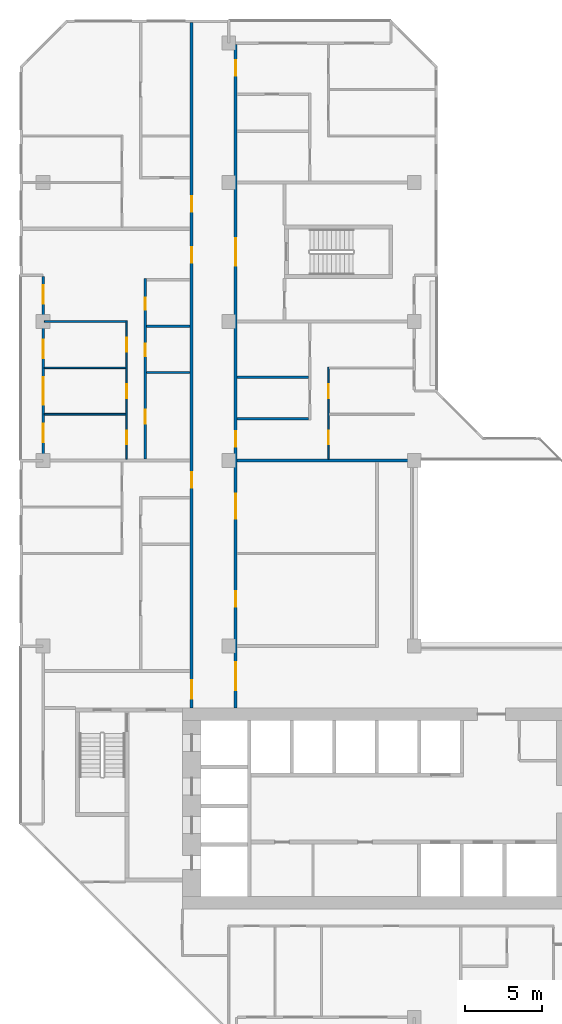
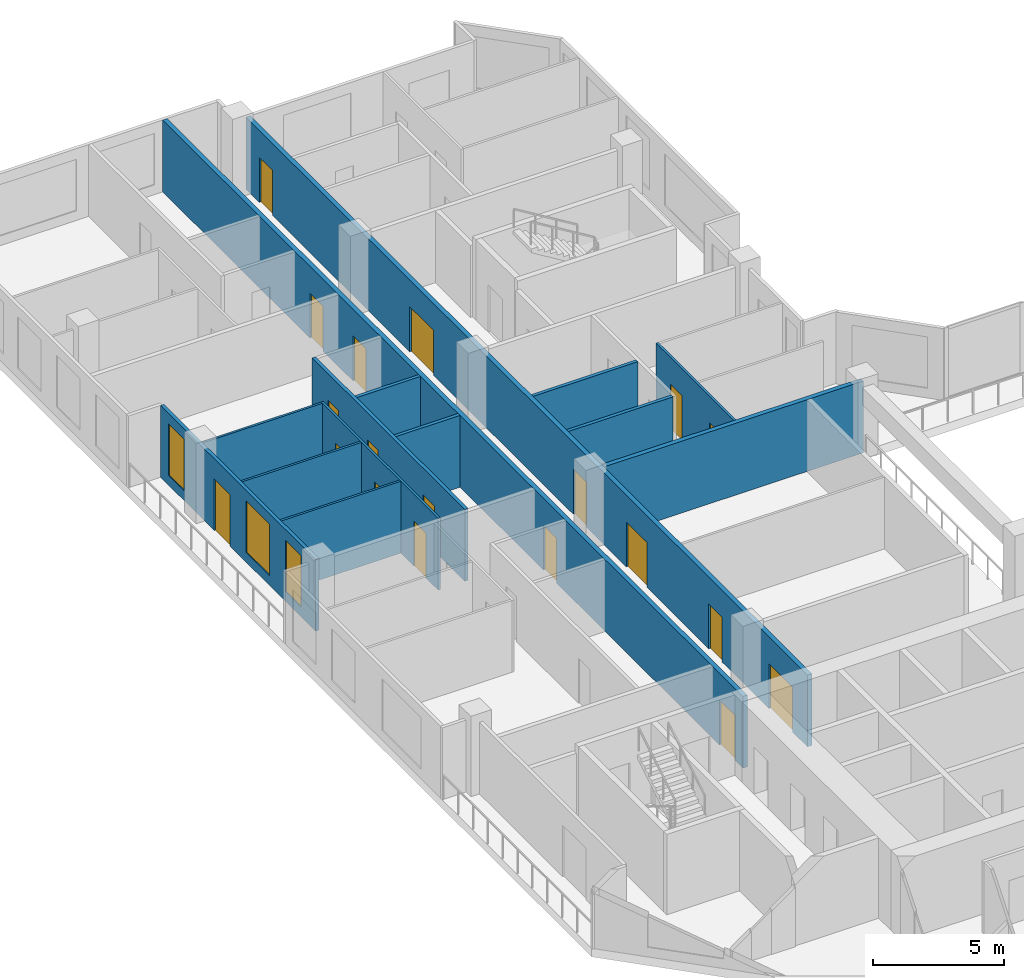
# One storey, part 9 of 14: 19 doors, 14 walls, 3 windows, 22 openings.
"""IFC4 building model written with IfcOpenShell, lengths in metres."""

import ifcopenshell
import ifcopenshell.guid

model = None  # the IFC model being written
_history = None  # IfcOwnerHistory: only IFC2X3 demands one
_inside = {}  # id of a spatial element -> (the spatial element, [elements in it])
_under = {}  # id of a project, library or spatial element -> (it, [spatial elements below it])
_declared = {}  # id of a project -> (the project, [libraries it declares])
_typed = {}  # id of a type object -> (the type object, [elements of that type])
_made_of = {}  # id of a material, layer set ... -> (it, [elements and type objects made of it])


def new_model(schema):
    """Start an empty IFC model of exactly this schema.

    Asked for "IFC4X3", IfcOpenShell would pick the latest addendum, in which some entities
    have other attributes; the version numbers below select the first issue.
    IFC2X3 requires an IfcOwnerHistory on every rooted entity: one is made here for all.
    """
    global model, _history
    if schema == "IFC4X3":
        model = ifcopenshell.file(schema_version=(4, 3, 0, 0))
    else:
        model = ifcopenshell.file(schema=schema)
    _inside.clear()
    _under.clear()
    _declared.clear()
    _typed.clear()
    _made_of.clear()
    _history = None
    if model.schema == "IFC2X3":
        org = make("IfcOrganization", Name="unknown")
        user = make(
            "IfcPersonAndOrganization",
            ThePerson=make("IfcPerson", FamilyName="unknown"),
            TheOrganization=org,
        )
        app = make(
            "IfcApplication",
            ApplicationDeveloper=org,
            Version="unknown",
            ApplicationFullName="unknown",
            ApplicationIdentifier="unknown",
        )
        _history = make(
            "IfcOwnerHistory",
            OwningUser=user,
            OwningApplication=app,
            ChangeAction="ADDED",
            CreationDate=0,
        )
    return model


def make(cls, **values):
    """One entity of the class cls with the attributes given. An attribute that is None is left unset."""
    return model.create_entity(
        cls, **{name: value for name, value in values.items() if value is not None}
    )


def rooted(cls, **values):
    """An entity with a GlobalId (a new one), such as an element, a storey or a relation."""
    return make(cls, GlobalId=ifcopenshell.guid.new(), OwnerHistory=_history, **values)


def si_unit(unit_type, name, prefix=None):
    """IfcSIUnit, for example si_unit("LENGTHUNIT", "METRE", prefix="MILLI")."""
    return make("IfcSIUnit", UnitType=unit_type, Prefix=prefix, Name=name)


def assignment(units):
    """IfcUnitAssignment: the units of a project."""
    return None if units is None else make("IfcUnitAssignment", Units=units)


def point(xyz):
    """IfcCartesianPoint."""
    return None if xyz is None else make("IfcCartesianPoint", Coordinates=xyz)


def direction(xyz):
    """IfcDirection."""
    return None if xyz is None else make("IfcDirection", DirectionRatios=xyz)


def frame(location, z_axis=None, x_axis=None):
    """IfcAxis2Placement3D, a coordinate frame: its origin and axes. An axis left out is left unset."""
    return make(
        "IfcAxis2Placement3D",
        Location=point(location),
        Axis=direction(z_axis),
        RefDirection=direction(x_axis),
    )


def frame_2d(location, x_axis=None):
    """IfcAxis2Placement2D, a coordinate frame in the plane: its origin and x axis."""
    return make(
        "IfcAxis2Placement2D", Location=point(location), RefDirection=direction(x_axis)
    )


def origin():
    """The frame at (0, 0, 0) with its axes left unset."""
    return frame((0.0, 0.0, 0.0))


def place(relative_to, where):
    """IfcLocalPlacement: puts the frame where relative to a parent placement (None: the world)."""
    return make(
        "IfcLocalPlacement", PlacementRelTo=relative_to, RelativePlacement=where
    )


def context(
    kind, dimensions, precision=None, world=None, true_north=None, identifier=None
):
    """IfcGeometricRepresentationContext, for example the 3D "Model" context."""
    return make(
        "IfcGeometricRepresentationContext",
        ContextIdentifier=identifier,
        ContextType=kind,
        CoordinateSpaceDimension=dimensions,
        Precision=precision,
        WorldCoordinateSystem=world,
        TrueNorth=true_north,
    )


def subcontext(parent, identifier, kind, view, scale=None):
    """IfcGeometricRepresentationSubContext, for example "Body" below "Model"."""
    return make(
        "IfcGeometricRepresentationSubContext",
        ContextIdentifier=identifier,
        ContextType=kind,
        ParentContext=parent,
        TargetScale=scale,
        TargetView=view,
    )


def project(units=None, contexts=None):
    """IfcProject with its units and contexts."""
    return rooted(
        "IfcProject",
        Name="project",
        RepresentationContexts=contexts,
        UnitsInContext=assignment(units),
    )


def spatial(cls, under=None, at=None, **own):
    """A site, building, storey or space (cls), placed at a placement, below another one or the project."""
    s = rooted(cls, ObjectPlacement=at, **own)
    if under is not None:
        _under.setdefault(under.id(), (under, []))[1].append(s)
    return s


def profile(cls, at=None, kind="AREA", **sizes):
    """A parametric profile (cls). Its sizes go by their IFC names, for example OverallWidth=200.0."""
    return make(cls, ProfileType=kind, Position=at, **sizes)


def rectangle(**sizes):
    """IfcRectangleProfileDef."""
    return profile("IfcRectangleProfileDef", **sizes)


def extrude(swept, where, along, depth):
    """IfcExtrudedAreaSolid: the profile swept, set in the frame where, extruded along a direction by depth."""
    return make(
        "IfcExtrudedAreaSolid",
        SweptArea=swept,
        Position=where,
        ExtrudedDirection=direction(along),
        Depth=depth,
    )


def shape(context_of_items, identifier, shape_type, items):
    """IfcShapeRepresentation: the items that make up one representation, for example the "Body"."""
    return make(
        "IfcShapeRepresentation",
        ContextOfItems=context_of_items,
        RepresentationIdentifier=identifier,
        RepresentationType=shape_type,
        Items=items,
    )


def material(Name=None, Category=None):
    """IfcMaterial."""
    return make("IfcMaterial", Name=Name, Category=Category)


def layer(
    of_material, thickness, ventilated=None, Name=None, Category=None, Priority=None
):
    """IfcMaterialLayer: one layer of a wall or slab, of a material (None: an air gap)."""
    return make(
        "IfcMaterialLayer",
        Material=of_material,
        LayerThickness=thickness,
        IsVentilated=ventilated,
        Name=Name,
        Category=Category,
        Priority=Priority,
    )


def layer_set(layers, Name=None):
    """IfcMaterialLayerSet."""
    return make("IfcMaterialLayerSet", MaterialLayers=layers, LayerSetName=Name)


def made_of(thing, what):
    """Note that an element or type object is made of a material, layer set ...; save() writes the relation."""
    if what is not None:
        _made_of.setdefault(what.id(), (what, []))[1].append(thing)
    return thing


def type_object(cls, material=None, **own):
    """A type object (cls), such as IfcWallType, which elements share."""
    return made_of(rooted(cls, **own), material)


def element(
    cls,
    number,
    at=None,
    inside=None,
    cuts=None,
    type_object=None,
    material=None,
    context=None,
    identifier="Body",
    shape_type=None,
    held_by="IfcProductDefinitionShape",
    body=None,
    shapes=None,
    **own,
):
    """One element of the class cls, such as IfcWall. Its Tag is "e" and its number.

    at: its placement. inside: the storey or other place that contains it. cuts: it is an
    opening in that element (IfcRelVoidsElement). A single representation is given by context,
    identifier, shape_type and body (its items); several are given by shapes. held_by: the class
    of the entity that holds the representations. save() writes the other relations.
    """
    e = rooted(cls, Tag="e%d" % number, ObjectPlacement=at, **own)
    if body is not None:
        shapes = [shape(context, identifier, shape_type, body)]
    if shapes is not None:
        e.Representation = make(held_by, Representations=shapes)
    if inside is not None:
        _inside.setdefault(inside.id(), (inside, []))[1].append(e)
    if cuts is not None:
        rooted(
            "IfcRelVoidsElement", RelatingBuildingElement=cuts, RelatedOpeningElement=e
        )
    if type_object is not None:
        _typed.setdefault(type_object.id(), (type_object, []))[1].append(e)
    return made_of(e, material)


def fill(opening, filler):
    """IfcRelFillsElement: the door or window that sits in an opening."""
    return rooted(
        "IfcRelFillsElement",
        RelatingOpeningElement=opening,
        RelatedBuildingElement=filler,
    )


def aggregate(whole, parts):
    """IfcRelAggregates: a whole, such as a stair, and the parts it consists of."""
    return rooted("IfcRelAggregates", RelatingObject=whole, RelatedObjects=parts)


def save(model, path):
    """Write the relations noted so far, then the file.

    IfcRelAggregates (storeys below a building ...), IfcRelContainedInSpatialStructure (elements
    in a storey), IfcRelDefinesByType, IfcRelAssociatesMaterial and IfcRelDeclares: one each for
    every whole, place, type object, material and project.
    """
    for whole, parts in _under.values():
        aggregate(whole, parts)
    for where, things in _inside.values():
        rooted(
            "IfcRelContainedInSpatialStructure",
            RelatedElements=things,
            RelatingStructure=where,
        )
    for kind, things in _typed.values():
        rooted("IfcRelDefinesByType", RelatedObjects=things, RelatingType=kind)
    for what, things in _made_of.values():
        rooted("IfcRelAssociatesMaterial", RelatedObjects=things, RelatingMaterial=what)
    for by, libraries in _declared.values():
        rooted("IfcRelDeclares", RelatingContext=by, RelatedDefinitions=libraries)
    model.write(path)


model = new_model("IFC4")

# Units and contexts
model_context = context("Model", 3, precision=1e-05, world=origin(), true_north=direction((0.0, 1.0)))
body_context = subcontext(model_context, "Body", "Model", "MODEL_VIEW")
ifc_project = project(units=[si_unit("LENGTHUNIT", "METRE"), si_unit("AREAUNIT", "SQUARE_METRE"), si_unit("VOLUMEUNIT", "CUBIC_METRE"), si_unit("PLANEANGLEUNIT", "RADIAN"), si_unit("MASSUNIT", "GRAM", prefix="KILO")], contexts=[model_context])

# Site, building, storey
site_placement = place(None, origin())
site = spatial("IfcSite", under=ifc_project, at=site_placement, CompositionType="ELEMENT")
building_placement = place(site_placement, origin())
building = spatial("IfcBuilding", under=site, at=building_placement, Name="Chenar Terraces", CompositionType="ELEMENT")
storey_placement = place(building_placement, frame((0.0, 0.0, 168.64990234375)))
storey = spatial("IfcBuildingStorey", under=building, at=storey_placement, Name="L38", CompositionType="ELEMENT", Elevation=168.64990234375)

# Wall, openings, doors
ifc_material_1 = material(Name="Gypsum board on steel studs with fire boards", Category="steel")
ifc_layer_1 = layer(ifc_material_1, 0.199951171875)
ifc_layer_set_1 = layer_set([ifc_layer_1], Name="Gypsum board on steel studs with fire boards")
wall_type_1 = type_object("IfcWallType", Name="Corridor wall 200", PredefinedType="PARTITIONING", material=ifc_layer_set_1)
wall_1_placement = place(storey_placement, frame((9.60009765625, 20.0, 0.0), z_axis=(0.0, 0.0, 1.0), x_axis=(0.0, 1.0, 0.0)))
wall_1 = element("IfcWall", 1, at=wall_1_placement, inside=storey, type_object=wall_type_1, Name="Partition L38-028", PredefinedType="PARTITIONING", context=body_context, shape_type="SweptSolid", body=[
    extrude(rectangle(XDim=44.35009765625, YDim=0.199951171875, at=frame_2d((22.175048828125, 0.0))), origin(), (0.0, 0.0, 1.0), 3.35009765625),
])
opening_1_placement = place(wall_1_placement, frame((28.800048828125, 0.0, 0.0)))
opening_1 = element("IfcOpeningElement", 2, at=opening_1_placement, cuts=wall_1, Name="Opening DL38-32", PredefinedType="OPENING", context=body_context, shape_type="SweptSolid", body=[
    extrude(rectangle(XDim=1.0, YDim=2.10009765625, at=frame_2d((0.5, 1.050048828125))), frame((0.0, 0.10986328125, 0.0), z_axis=(0.0, -1.0, 0.0), x_axis=(1.0, 0.0, 0.0)), (0.0, 0.0, 1.0), 0.219970703125),
])
opening_2_placement = place(wall_1_placement, frame((32.10009765625, 0.0, 0.0)))
opening_2 = element("IfcOpeningElement", 3, at=opening_2_placement, cuts=wall_1, Name="Opening DL38-38", PredefinedType="OPENING", context=body_context, shape_type="SweptSolid", body=[
    extrude(rectangle(XDim=1.0, YDim=2.10009765625, at=frame_2d((0.5, 1.050048828125))), frame((0.0, 0.10986328125, 0.0), z_axis=(0.0, -1.0, 0.0), x_axis=(1.0, 0.0, 0.0)), (0.0, 0.0, 1.0), 0.219970703125),
])
opening_3_placement = place(wall_1_placement, frame((0.60009765625, 0.0, 0.0)))
opening_3 = element("IfcOpeningElement", 4, at=opening_3_placement, cuts=wall_1, Name="Opening DL38-41", PredefinedType="OPENING", context=body_context, shape_type="SweptSolid", body=[
    extrude(rectangle(XDim=1.199951171875, YDim=2.10009765625, at=frame_2d((0.60009765625, 1.050048828125))), frame((0.0, 0.10986328125, 0.0), z_axis=(0.0, -1.0, 0.0), x_axis=(1.0, 0.0, 0.0)), (0.0, 0.0, 1.0), 0.219970703125),
])
opening_4_placement = place(wall_1_placement, frame((14.25, 0.0, 0.0)))
opening_4 = element("IfcOpeningElement", 5, at=opening_4_placement, cuts=wall_1, Name="Opening DL38-62", PredefinedType="OPENING", context=body_context, shape_type="SweptSolid", body=[
    extrude(rectangle(XDim=1.0, YDim=2.10009765625, at=frame_2d((0.5, 1.050048828125))), frame((0.0, 0.10986328125, 0.0), z_axis=(0.0, -1.0, 0.0), x_axis=(1.0, 0.0, 0.0)), (0.0, 0.0, 1.0), 0.219970703125),
])
ifc_material_2 = material(Name="Steel-framed fire-resisting door leaf", Category="steel")
door_type_1 = type_object("IfcDoorType", Name="Fire door FD30S 1000 x 2100", OperationType="SINGLE_SWING_LEFT", PredefinedType="DOOR", material=ifc_material_2)
door_1_placement = place(opening_1_placement, origin())
door_1 = element("IfcDoor", 6, at=door_1_placement, inside=storey, type_object=door_type_1, Name="Door DL38-32", OperationType="SINGLE_SWING_LEFT", OverallHeight=2.10009765625, OverallWidth=1.0, PredefinedType="DOOR", context=body_context, shape_type="SweptSolid", body=[
    extrude(rectangle(XDim=1.0, YDim=2.10009765625, at=frame_2d((0.5, 1.050048828125))), frame((0.0, 0.02490234375, 0.0), z_axis=(0.0, -1.0, 0.0), x_axis=(1.0, 0.0, 0.0)), (0.0, 0.0, 1.0), 0.050048828125),
])
fill(opening_1, door_1)
door_2_placement = place(opening_2_placement, origin())
door_2 = element("IfcDoor", 7, at=door_2_placement, inside=storey, type_object=door_type_1, Name="Door DL38-38", OperationType="SINGLE_SWING_LEFT", OverallHeight=2.10009765625, OverallWidth=1.0, PredefinedType="DOOR", context=body_context, shape_type="SweptSolid", body=[
    extrude(rectangle(XDim=1.0, YDim=2.10009765625, at=frame_2d((0.5, 1.050048828125))), frame((0.0, 0.02490234375, 0.0), z_axis=(0.0, -1.0, 0.0), x_axis=(1.0, 0.0, 0.0)), (0.0, 0.0, 1.0), 0.050048828125),
])
fill(opening_2, door_2)
door_3_placement = place(opening_4_placement, origin())
door_3 = element("IfcDoor", 8, at=door_3_placement, inside=storey, type_object=door_type_1, Name="Door DL38-62", OperationType="SINGLE_SWING_LEFT", OverallHeight=2.10009765625, OverallWidth=1.0, PredefinedType="DOOR", context=body_context, shape_type="SweptSolid", body=[
    extrude(rectangle(XDim=1.0, YDim=2.10009765625, at=frame_2d((0.5, 1.050048828125))), frame((0.0, 0.02490234375, 0.0), z_axis=(0.0, -1.0, 0.0), x_axis=(1.0, 0.0, 0.0)), (0.0, 0.0, 1.0), 0.050048828125),
])
fill(opening_4, door_3)
ifc_material_3 = material(Name="Steel-framed fire-resisting door leaf", Category="steel")
door_type_2 = type_object("IfcDoorType", Name="Fire door FD30S 1200 x 2100", OperationType="SINGLE_SWING_LEFT", PredefinedType="DOOR", material=ifc_material_3)
door_4_placement = place(opening_3_placement, origin())
door_4 = element("IfcDoor", 9, at=door_4_placement, inside=storey, type_object=door_type_2, Name="Door DL38-41", OperationType="SINGLE_SWING_RIGHT", OverallHeight=2.10009765625, OverallWidth=1.199951171875, PredefinedType="DOOR", context=body_context, shape_type="SweptSolid", body=[
    extrude(rectangle(XDim=1.199951171875, YDim=2.10009765625, at=frame_2d((0.60009765625, 1.050048828125))), frame((0.0, 0.02490234375, 0.0), z_axis=(0.0, -1.0, 0.0), x_axis=(1.0, 0.0, 0.0)), (0.0, 0.0, 1.0), 0.050048828125),
])
fill(opening_3, door_4)

wall_2_placement = place(storey_placement, frame((12.449951171875, 20.0, 0.0), z_axis=(0.0, 0.0, 1.0), x_axis=(0.0, 1.0, 0.0)))
wall_2 = element("IfcWall", 10, at=wall_2_placement, inside=storey, type_object=wall_type_1, Name="Partition L38-031", PredefinedType="PARTITIONING", context=body_context, shape_type="SweptSolid", body=[
    extrude(rectangle(XDim=42.926025390625, YDim=0.199951171875, at=frame_2d((21.462890625, 0.0))), origin(), (0.0, 0.0, 1.0), 3.35009765625),
])
opening_5_placement = place(wall_2_placement, frame((6.550048828125, 0.0, 0.0)))
opening_5 = element("IfcOpeningElement", 11, at=opening_5_placement, cuts=wall_2, Name="Opening DL38-1", PredefinedType="OPENING", context=body_context, shape_type="SweptSolid", body=[
    extrude(rectangle(XDim=1.0, YDim=2.10009765625, at=frame_2d((0.5, 1.050048828125))), frame((0.0, 0.10986328125, 0.0), z_axis=(0.0, -1.0, 0.0), x_axis=(1.0, 0.0, 0.0)), (0.0, 0.0, 1.0), 0.219970703125),
])
opening_6_placement = place(wall_2_placement, frame((12.25, 0.0, 0.0)))
opening_6 = element("IfcOpeningElement", 12, at=opening_6_placement, cuts=wall_2, Name="Opening DL38-2", PredefinedType="OPENING", context=body_context, shape_type="SweptSolid", body=[
    extrude(rectangle(XDim=1.60009765625, YDim=2.10009765625, at=frame_2d((0.800048828125, 1.050048828125))), frame((0.0, 0.10986328125, 0.0), z_axis=(0.0, -1.0, 0.0), x_axis=(1.0, 0.0, 0.0)), (0.0, 0.0, 1.0), 0.219970703125),
])
opening_7_placement = place(wall_2_placement, frame((16.89990234375, 0.0, 0.0)))
opening_7 = element("IfcOpeningElement", 13, at=opening_7_placement, cuts=wall_2, Name="Opening DL38-21", PredefinedType="OPENING", context=body_context, shape_type="SweptSolid", body=[
    extrude(rectangle(XDim=1.0, YDim=2.10009765625, at=frame_2d((0.5, 1.050048828125))), frame((0.0, 0.10986328125, 0.0), z_axis=(0.0, -1.0, 0.0), x_axis=(1.0, 0.0, 0.0)), (0.0, 0.0, 1.0), 0.219970703125),
])
opening_8_placement = place(wall_2_placement, frame((40.89990234375, 0.0, 0.0)))
opening_8 = element("IfcOpeningElement", 14, at=opening_8_placement, cuts=wall_2, Name="Opening DL38-26", PredefinedType="OPENING", context=body_context, shape_type="SweptSolid", body=[
    extrude(rectangle(XDim=1.0, YDim=2.10009765625, at=frame_2d((0.5, 1.050048828125))), frame((0.0, 0.10986328125, 0.0), z_axis=(0.0, -1.0, 0.0), x_axis=(1.0, 0.0, 0.0)), (0.0, 0.0, 1.0), 0.219970703125),
])
opening_9_placement = place(wall_2_placement, frame((1.14990234375, 0.0, 0.0)))
opening_9 = element("IfcOpeningElement", 15, at=opening_9_placement, cuts=wall_2, Name="Opening DL38-40", PredefinedType="OPENING", context=body_context, shape_type="SweptSolid", body=[
    extrude(rectangle(XDim=1.800048828125, YDim=2.10009765625, at=frame_2d((0.89990234375, 1.050048828125))), frame((0.0, 0.10986328125, 0.0), z_axis=(0.0, -1.0, 0.0), x_axis=(1.0, 0.0, 0.0)), (0.0, 0.0, 1.0), 0.219970703125),
])
opening_10_placement = place(wall_2_placement, frame((28.60009765625, 0.0, 0.0)))
opening_10 = element("IfcOpeningElement", 16, at=opening_10_placement, cuts=wall_2, Name="Opening DL38-42", PredefinedType="OPENING", context=body_context, shape_type="SweptSolid", body=[
    extrude(rectangle(XDim=1.800048828125, YDim=2.10009765625, at=frame_2d((0.89990234375, 1.050048828125))), frame((0.0, 0.10986328125, 0.0), z_axis=(0.0, -1.0, 0.0), x_axis=(1.0, 0.0, 0.0)), (0.0, 0.0, 1.0), 0.219970703125),
])
ifc_material_4 = material(Name="Steel-framed fire-resisting door leaf", Category="steel")
door_type_3 = type_object("IfcDoorType", Name="Fire door FD60 1000 x 2100", OperationType="SINGLE_SWING_LEFT", PredefinedType="DOOR", material=ifc_material_4)
door_5_placement = place(opening_5_placement, frame((1.0, 0.0, 0.0), z_axis=(0.0, 0.0, 1.0), x_axis=(-1.0, 0.0, 0.0)))
door_5 = element("IfcDoor", 17, at=door_5_placement, inside=storey, type_object=door_type_3, Name="Door DL38-1", OperationType="SINGLE_SWING_LEFT", OverallHeight=2.10009765625, OverallWidth=1.0, PredefinedType="DOOR", context=body_context, shape_type="SweptSolid", body=[
    extrude(rectangle(XDim=1.0, YDim=2.10009765625, at=frame_2d((0.5, 1.050048828125))), frame((0.0, 0.02490234375, 0.0), z_axis=(0.0, -1.0, 0.0), x_axis=(1.0, 0.0, 0.0)), (0.0, 0.0, 1.0), 0.050048828125),
])
fill(opening_5, door_5)
door_6_placement = place(opening_7_placement, frame((1.0, 0.0, 0.0), z_axis=(0.0, 0.0, 1.0), x_axis=(-1.0, 0.0, 0.0)))
door_6 = element("IfcDoor", 18, at=door_6_placement, inside=storey, type_object=door_type_3, Name="Door DL38-21", OperationType="SINGLE_SWING_LEFT", OverallHeight=2.10009765625, OverallWidth=1.0, PredefinedType="DOOR", context=body_context, shape_type="SweptSolid", body=[
    extrude(rectangle(XDim=1.0, YDim=2.10009765625, at=frame_2d((0.5, 1.050048828125))), frame((0.0, 0.02490234375, 0.0), z_axis=(0.0, -1.0, 0.0), x_axis=(1.0, 0.0, 0.0)), (0.0, 0.0, 1.0), 0.050048828125),
])
fill(opening_7, door_6)
door_7_placement = place(opening_8_placement, frame((1.0, 0.0, 0.0), z_axis=(0.0, 0.0, 1.0), x_axis=(-1.0, 0.0, 0.0)))
door_7 = element("IfcDoor", 19, at=door_7_placement, inside=storey, type_object=door_type_3, Name="Door DL38-26", OperationType="SINGLE_SWING_LEFT", OverallHeight=2.10009765625, OverallWidth=1.0, PredefinedType="DOOR", context=body_context, shape_type="SweptSolid", body=[
    extrude(rectangle(XDim=1.0, YDim=2.10009765625, at=frame_2d((0.5, 1.050048828125))), frame((0.0, 0.02490234375, 0.0), z_axis=(0.0, -1.0, 0.0), x_axis=(1.0, 0.0, 0.0)), (0.0, 0.0, 1.0), 0.050048828125),
])
fill(opening_8, door_7)
ifc_material_5 = material(Name="Steel-framed fire-resisting door leaf", Category="steel")
door_type_4 = type_object("IfcDoorType", Name="Fire double door FD60 1600 x 2100", OperationType="DOUBLE_DOOR_SINGLE_SWING", PredefinedType="DOOR", material=ifc_material_5)
door_8_placement = place(opening_6_placement, frame((1.60009765625, 0.0, 0.0), z_axis=(0.0, 0.0, 1.0), x_axis=(-1.0, 0.0, 0.0)))
door_8 = element("IfcDoor", 20, at=door_8_placement, inside=storey, type_object=door_type_4, Name="Door DL38-2", OperationType="DOUBLE_DOOR_SINGLE_SWING", OverallHeight=2.10009765625, OverallWidth=1.60009765625, PredefinedType="DOOR", context=body_context, shape_type="SweptSolid", body=[
    extrude(rectangle(XDim=1.60009765625, YDim=2.10009765625, at=frame_2d((0.800048828125, 1.050048828125))), frame((0.0, 0.02490234375, 0.0), z_axis=(0.0, -1.0, 0.0), x_axis=(1.0, 0.0, 0.0)), (0.0, 0.0, 1.0), 0.050048828125),
])
fill(opening_6, door_8)
ifc_material_6 = material(Name="Steel-framed fire-resisting door leaf", Category="steel")
door_type_5 = type_object("IfcDoorType", Name="Fire double door FD60 1800 x 2100", OperationType="DOUBLE_DOOR_SINGLE_SWING", PredefinedType="DOOR", material=ifc_material_6)
door_9_placement = place(opening_9_placement, frame((1.800048828125, 0.0, 0.0), z_axis=(0.0, 0.0, 1.0), x_axis=(-1.0, 0.0, 0.0)))
door_9 = element("IfcDoor", 21, at=door_9_placement, inside=storey, type_object=door_type_5, Name="Door DL38-40", OperationType="DOUBLE_DOOR_SINGLE_SWING", OverallHeight=2.10009765625, OverallWidth=1.800048828125, PredefinedType="DOOR", context=body_context, shape_type="SweptSolid", body=[
    extrude(rectangle(XDim=1.800048828125, YDim=2.10009765625, at=frame_2d((0.89990234375, 1.050048828125))), frame((0.0, 0.02490234375, 0.0), z_axis=(0.0, -1.0, 0.0), x_axis=(1.0, 0.0, 0.0)), (0.0, 0.0, 1.0), 0.050048828125),
])
fill(opening_9, door_9)
door_10_placement = place(opening_10_placement, frame((1.800048828125, 0.0, 0.0), z_axis=(0.0, 0.0, 1.0), x_axis=(-1.0, 0.0, 0.0)))
door_10 = element("IfcDoor", 22, at=door_10_placement, inside=storey, type_object=door_type_5, Name="Door DL38-42", OperationType="DOUBLE_DOOR_SINGLE_SWING", OverallHeight=2.10009765625, OverallWidth=1.800048828125, PredefinedType="DOOR", context=body_context, shape_type="SweptSolid", body=[
    extrude(rectangle(XDim=1.800048828125, YDim=2.10009765625, at=frame_2d((0.89990234375, 1.050048828125))), frame((0.0, 0.02490234375, 0.0), z_axis=(0.0, -1.0, 0.0), x_axis=(1.0, 0.0, 0.0)), (0.0, 0.0, 1.0), 0.050048828125),
])
fill(opening_10, door_10)

# Wall, openings, windows, door
ifc_material_7 = material(Name="Aluminium framed glazing", Category="aluminium")
ifc_layer_2 = layer(ifc_material_7, 0.14990234375)
ifc_layer_set_2 = layer_set([ifc_layer_2], Name="Aluminium framed glazing")
wall_type_2 = type_object("IfcWallType", Name="Glazed loggia back wall 150", PredefinedType="SOLIDWALL", material=ifc_layer_set_2)
wall_3_placement = place(storey_placement, frame((0.0, 47.925048828125, 0.0), z_axis=(0.0, 0.0, 1.0), x_axis=(0.0, -1.0, 0.0)))
wall_3 = element("IfcWall", 23, at=wall_3_placement, inside=storey, type_object=wall_type_2, Name="Glazed loggia back wall", PredefinedType="SOLIDWALL", context=body_context, shape_type="SweptSolid", body=[
    extrude(rectangle(XDim=11.85009765625, YDim=0.14990234375, at=frame_2d((5.925048828125, 0.0))), origin(), (0.0, 0.0, 1.0), 3.35009765625),
])
opening_11_placement = place(wall_3_placement, frame((0.58740234375, 0.0, 0.449951171875)))
opening_11 = element("IfcOpeningElement", 24, at=opening_11_placement, cuts=wall_3, Name="Opening W120x240", PredefinedType="OPENING", context=body_context, shape_type="SweptSolid", body=[
    extrude(rectangle(XDim=1.199951171875, YDim=2.39990234375, at=frame_2d((0.60009765625, 1.199951171875))), frame((0.0, 0.0849609375, 0.0), z_axis=(0.0, -1.0, 0.0), x_axis=(1.0, 0.0, 0.0)), (0.0, 0.0, 1.0), 0.169921875),
])
opening_12_placement = place(wall_3_placement, frame((4.10009765625, 0.0, 0.0)))
opening_12 = element("IfcOpeningElement", 25, at=opening_12_placement, cuts=wall_3, Name="Opening DL38-G3", PredefinedType="OPENING", context=body_context, shape_type="SweptSolid", body=[
    extrude(rectangle(XDim=1.199951171875, YDim=2.39990234375, at=frame_2d((0.60009765625, 1.199951171875))), frame((0.0, 0.0849609375, 0.0), z_axis=(0.0, -1.0, 0.0), x_axis=(1.0, 0.0, 0.0)), (0.0, 0.0, 1.0), 0.169921875),
])
opening_13_placement = place(wall_3_placement, frame((6.52490234375, 0.0, 0.449951171875)))
opening_13 = element("IfcOpeningElement", 26, at=opening_13_placement, cuts=wall_3, Name="Opening W180x240", PredefinedType="OPENING", context=body_context, shape_type="SweptSolid", body=[
    extrude(rectangle(XDim=1.800048828125, YDim=2.39990234375, at=frame_2d((0.89990234375, 1.199951171875))), frame((0.0, 0.0849609375, 0.0), z_axis=(0.0, -1.0, 0.0), x_axis=(1.0, 0.0, 0.0)), (0.0, 0.0, 1.0), 0.169921875),
])
opening_14_placement = place(wall_3_placement, frame((9.550048828125, 0.0, 0.449951171875)))
opening_14 = element("IfcOpeningElement", 27, at=opening_14_placement, cuts=wall_3, Name="Opening W120x240", PredefinedType="OPENING", context=body_context, shape_type="SweptSolid", body=[
    extrude(rectangle(XDim=1.199951171875, YDim=2.39990234375, at=frame_2d((0.60009765625, 1.199951171875))), frame((0.0, 0.0849609375, 0.0), z_axis=(0.0, -1.0, 0.0), x_axis=(1.0, 0.0, 0.0)), (0.0, 0.0, 1.0), 0.169921875),
])
ifc_material_8 = material(Name="Low emissivity double glazing, aluminium frame", Category="aluminium")
window_type_1 = type_object("IfcWindowType", Name="Fixed light 1200 x 2400", PartitioningType="SINGLE_PANEL", PredefinedType="WINDOW", material=ifc_material_8)
window_1_placement = place(opening_11_placement, origin())
window_1 = element("IfcWindow", 28, at=window_1_placement, inside=storey, type_object=window_type_1, Name="Window", OverallHeight=2.39990234375, OverallWidth=1.199951171875, PartitioningType="SINGLE_PANEL", PredefinedType="WINDOW", context=body_context, shape_type="SweptSolid", body=[
    extrude(rectangle(XDim=1.199951171875, YDim=2.39990234375, at=frame_2d((0.60009765625, 1.199951171875))), frame((0.0, 0.030029296875, 0.0), z_axis=(0.0, -1.0, 0.0), x_axis=(1.0, 0.0, 0.0)), (0.0, 0.0, 1.0), 0.06005859375),
])
fill(opening_11, window_1)
window_2_placement = place(opening_14_placement, origin())
window_2 = element("IfcWindow", 29, at=window_2_placement, inside=storey, type_object=window_type_1, Name="Window", OverallHeight=2.39990234375, OverallWidth=1.199951171875, PartitioningType="SINGLE_PANEL", PredefinedType="WINDOW", context=body_context, shape_type="SweptSolid", body=[
    extrude(rectangle(XDim=1.199951171875, YDim=2.39990234375, at=frame_2d((0.60009765625, 1.199951171875))), frame((0.0, 0.030029296875, 0.0), z_axis=(0.0, -1.0, 0.0), x_axis=(1.0, 0.0, 0.0)), (0.0, 0.0, 1.0), 0.06005859375),
])
fill(opening_14, window_2)
ifc_material_9 = material(Name="Low emissivity double glazing, aluminium frame", Category="aluminium")
window_type_2 = type_object("IfcWindowType", Name="Fixed light 1800 x 2400", PartitioningType="SINGLE_PANEL", PredefinedType="WINDOW", material=ifc_material_9)
window_3_placement = place(opening_13_placement, origin())
window_3 = element("IfcWindow", 30, at=window_3_placement, inside=storey, type_object=window_type_2, Name="Window", OverallHeight=2.39990234375, OverallWidth=1.800048828125, PartitioningType="SINGLE_PANEL", PredefinedType="WINDOW", context=body_context, shape_type="SweptSolid", body=[
    extrude(rectangle(XDim=1.800048828125, YDim=2.39990234375, at=frame_2d((0.89990234375, 1.199951171875))), frame((0.0, 0.030029296875, 0.0), z_axis=(0.0, -1.0, 0.0), x_axis=(1.0, 0.0, 0.0)), (0.0, 0.0, 1.0), 0.06005859375),
])
fill(opening_13, window_3)
ifc_material_10 = material(Name="Low emissivity double glazing, aluminium frame", Category="aluminium")
door_type_6 = type_object("IfcDoorType", Name="Loggia glazed double door 1200 x 2400", OperationType="DOUBLE_DOOR_SINGLE_SWING", PredefinedType="DOOR", material=ifc_material_10)
door_11_placement = place(opening_12_placement, frame((1.199951171875, 0.0, 0.0), z_axis=(0.0, 0.0, 1.0), x_axis=(-1.0, 0.0, 0.0)))
door_11 = element("IfcDoor", 31, at=door_11_placement, inside=storey, type_object=door_type_6, Name="Loggia glazed door", OperationType="DOUBLE_DOOR_SINGLE_SWING", OverallHeight=2.39990234375, OverallWidth=1.199951171875, PredefinedType="DOOR", context=body_context, shape_type="SweptSolid", body=[
    extrude(rectangle(XDim=1.199951171875, YDim=2.39990234375, at=frame_2d((0.60009765625, 1.199951171875))), frame((0.0, 0.02490234375, 0.0), z_axis=(0.0, -1.0, 0.0), x_axis=(1.0, 0.0, 0.0)), (0.0, 0.0, 1.0), 0.050048828125),
])
fill(opening_12, door_11)

# Walls
ifc_material_11 = material(Name="Gypsum board on steel studs", Category="steel")
ifc_layer_3 = layer(ifc_material_11, 0.10009765625)
ifc_layer_set_3 = layer_set([ifc_layer_3], Name="Gypsum board on steel studs")
wall_type_3 = type_object("IfcWallType", Name="Gypsum partition 100", PredefinedType="PARTITIONING", material=ifc_layer_set_3)
for number, where, z_axis, x_axis, name in (
    (32, (0.073974609375, 39.0, 0.0), (0.0, 0.0, 1.0), (1.0, 0.0, 0.0), "Partition L38-009"),
    (33, (0.073974609375, 42.0, 0.0), (0.0, 0.0, 1.0), (1.0, 0.0, 0.0), "Partition L38-010"),
    (34, (0.073974609375, 45.0, 0.0), (0.0, 0.0, 1.0), (1.0, 0.0, 0.0), "Partition L38-011"),
):
    element("IfcWall", number, at=place(storey_placement, frame(where, z_axis=z_axis, x_axis=x_axis)), inside=storey, type_object=wall_type_3, Name=name, PredefinedType="PARTITIONING", context=body_context, shape_type="SweptSolid", body=[
        extrude(rectangle(XDim=5.276123046875, YDim=0.10009765625, at=frame_2d((2.63818359375, 0.0))), origin(), (0.0, 0.0, 1.0), 3.35009765625),
    ])

# Wall, openings, doors
wall_4_placement = place(storey_placement, frame((5.39990234375, 36.10009765625, 0.0), z_axis=(0.0, 0.0, 1.0), x_axis=(0.0, 1.0, 0.0)))
wall_4 = element("IfcWall", 35, at=wall_4_placement, inside=storey, type_object=wall_type_3, Name="Partition L38-015", PredefinedType="PARTITIONING", context=body_context, shape_type="SweptSolid", body=[
    extrude(rectangle(XDim=8.949951171875, YDim=0.10009765625, at=frame_2d((4.47509765625, 0.0))), origin(), (0.0, 0.0, 1.0), 3.35009765625),
])
opening_15_placement = place(wall_4_placement, frame((3.949951171875, 0.0, 0.0)))
opening_15 = element("IfcOpeningElement", 36, at=opening_15_placement, cuts=wall_4, Name="Opening DL38-28", PredefinedType="OPENING", context=body_context, shape_type="SweptSolid", body=[
    extrude(rectangle(XDim=0.89990234375, YDim=2.10009765625, at=frame_2d((0.449951171875, 1.050048828125))), frame((0.0, 0.06005859375, 0.0), z_axis=(0.0, -1.0, 0.0), x_axis=(1.0, 0.0, 0.0)), (0.0, 0.0, 1.0), 0.1201171875),
])
opening_16_placement = place(wall_4_placement, frame((6.949951171875, 0.0, 0.0)))
opening_16 = element("IfcOpeningElement", 37, at=opening_16_placement, cuts=wall_4, Name="Opening DL38-29", PredefinedType="OPENING", context=body_context, shape_type="SweptSolid", body=[
    extrude(rectangle(XDim=0.89990234375, YDim=2.10009765625, at=frame_2d((0.449951171875, 1.050048828125))), frame((0.0, 0.06005859375, 0.0), z_axis=(0.0, -1.0, 0.0), x_axis=(1.0, 0.0, 0.0)), (0.0, 0.0, 1.0), 0.1201171875),
])
opening_17_placement = place(wall_4_placement, frame((0.949951171875, 0.0, 0.0)))
opening_17 = element("IfcOpeningElement", 38, at=opening_17_placement, cuts=wall_4, Name="Opening DL38-33", PredefinedType="OPENING", context=body_context, shape_type="SweptSolid", body=[
    extrude(rectangle(XDim=0.89990234375, YDim=2.10009765625, at=frame_2d((0.449951171875, 1.050048828125))), frame((0.0, 0.06005859375, 0.0), z_axis=(0.0, -1.0, 0.0), x_axis=(1.0, 0.0, 0.0)), (0.0, 0.0, 1.0), 0.1201171875),
])
ifc_material_12 = material(Name="Veneered timber door leaf", Category="wood")
door_type_7 = type_object("IfcDoorType", Name="Door 900 x 2100", OperationType="SINGLE_SWING_LEFT", PredefinedType="DOOR", material=ifc_material_12)
door_12_placement = place(opening_15_placement, origin())
door_12 = element("IfcDoor", 39, at=door_12_placement, inside=storey, type_object=door_type_7, Name="Door DL38-28", OperationType="SINGLE_SWING_RIGHT", OverallHeight=2.10009765625, OverallWidth=0.89990234375, PredefinedType="DOOR", context=body_context, shape_type="SweptSolid", body=[
    extrude(rectangle(XDim=0.89990234375, YDim=2.10009765625, at=frame_2d((0.449951171875, 1.050048828125))), frame((0.0, 0.02490234375, 0.0), z_axis=(0.0, -1.0, 0.0), x_axis=(1.0, 0.0, 0.0)), (0.0, 0.0, 1.0), 0.050048828125),
])
fill(opening_15, door_12)
door_13_placement = place(opening_16_placement, origin())
door_13 = element("IfcDoor", 40, at=door_13_placement, inside=storey, type_object=door_type_7, Name="Door DL38-29", OperationType="SINGLE_SWING_RIGHT", OverallHeight=2.10009765625, OverallWidth=0.89990234375, PredefinedType="DOOR", context=body_context, shape_type="SweptSolid", body=[
    extrude(rectangle(XDim=0.89990234375, YDim=2.10009765625, at=frame_2d((0.449951171875, 1.050048828125))), frame((0.0, 0.02490234375, 0.0), z_axis=(0.0, -1.0, 0.0), x_axis=(1.0, 0.0, 0.0)), (0.0, 0.0, 1.0), 0.050048828125),
])
fill(opening_16, door_13)
door_14_placement = place(opening_17_placement, origin())
door_14 = element("IfcDoor", 41, at=door_14_placement, inside=storey, type_object=door_type_7, Name="Door DL38-33", OperationType="SINGLE_SWING_RIGHT", OverallHeight=2.10009765625, OverallWidth=0.89990234375, PredefinedType="DOOR", context=body_context, shape_type="SweptSolid", body=[
    extrude(rectangle(XDim=0.89990234375, YDim=2.10009765625, at=frame_2d((0.449951171875, 1.050048828125))), frame((0.0, 0.02490234375, 0.0), z_axis=(0.0, -1.0, 0.0), x_axis=(1.0, 0.0, 0.0)), (0.0, 0.0, 1.0), 0.050048828125),
])
fill(opening_17, door_14)

wall_5_placement = place(storey_placement, frame((18.449951171875, 36.10009765625, 0.0), z_axis=(0.0, 0.0, 1.0), x_axis=(0.0, 1.0, 0.0)))
wall_5 = element("IfcWall", 42, at=wall_5_placement, inside=storey, type_object=wall_type_3, Name="Partition L38-047", PredefinedType="PARTITIONING", context=body_context, shape_type="SweptSolid", body=[
    extrude(rectangle(XDim=5.949951171875, YDim=0.10009765625, at=frame_2d((2.97509765625, 0.0))), origin(), (0.0, 0.0, 1.0), 3.35009765625),
])
opening_18_placement = place(wall_5_placement, frame((0.949951171875, 0.0, 0.0)))
opening_18 = element("IfcOpeningElement", 43, at=opening_18_placement, cuts=wall_5, Name="Opening DL38-18", PredefinedType="OPENING", context=body_context, shape_type="SweptSolid", body=[
    extrude(rectangle(XDim=0.89990234375, YDim=2.10009765625, at=frame_2d((0.449951171875, 1.050048828125))), frame((0.0, 0.06005859375, 0.0), z_axis=(0.0, -1.0, 0.0), x_axis=(1.0, 0.0, 0.0)), (0.0, 0.0, 1.0), 0.1201171875),
])
opening_19_placement = place(wall_5_placement, frame((3.949951171875, 0.0, 0.0)))
opening_19 = element("IfcOpeningElement", 44, at=opening_19_placement, cuts=wall_5, Name="Opening DL38-19", PredefinedType="OPENING", context=body_context, shape_type="SweptSolid", body=[
    extrude(rectangle(XDim=0.89990234375, YDim=2.10009765625, at=frame_2d((0.449951171875, 1.050048828125))), frame((0.0, 0.06005859375, 0.0), z_axis=(0.0, -1.0, 0.0), x_axis=(1.0, 0.0, 0.0)), (0.0, 0.0, 1.0), 0.1201171875),
])
door_15_placement = place(opening_18_placement, frame((0.89990234375, 0.0, 0.0), z_axis=(0.0, 0.0, 1.0), x_axis=(-1.0, 0.0, 0.0)))
door_15 = element("IfcDoor", 45, at=door_15_placement, inside=storey, type_object=door_type_7, Name="Door DL38-18", OperationType="SINGLE_SWING_LEFT", OverallHeight=2.10009765625, OverallWidth=0.89990234375, PredefinedType="DOOR", context=body_context, shape_type="SweptSolid", body=[
    extrude(rectangle(XDim=0.89990234375, YDim=2.10009765625, at=frame_2d((0.449951171875, 1.050048828125))), frame((0.0, 0.02490234375, 0.0), z_axis=(0.0, -1.0, 0.0), x_axis=(1.0, 0.0, 0.0)), (0.0, 0.0, 1.0), 0.050048828125),
])
fill(opening_18, door_15)
door_16_placement = place(opening_19_placement, frame((0.89990234375, 0.0, 0.0), z_axis=(0.0, 0.0, 1.0), x_axis=(-1.0, 0.0, 0.0)))
door_16 = element("IfcDoor", 46, at=door_16_placement, inside=storey, type_object=door_type_7, Name="Door DL38-19", OperationType="SINGLE_SWING_LEFT", OverallHeight=2.10009765625, OverallWidth=0.89990234375, PredefinedType="DOOR", context=body_context, shape_type="SweptSolid", body=[
    extrude(rectangle(XDim=0.89990234375, YDim=2.10009765625, at=frame_2d((0.449951171875, 1.050048828125))), frame((0.0, 0.02490234375, 0.0), z_axis=(0.0, -1.0, 0.0), x_axis=(1.0, 0.0, 0.0)), (0.0, 0.0, 1.0), 0.050048828125),
])
fill(opening_19, door_16)

# Wall
ifc_material_13 = material(Name="Twin gypsum board on steel studs with mineral wool", Category="steel")
ifc_layer_4 = layer(ifc_material_13, 0.199951171875)
ifc_layer_set_4 = layer_set([ifc_layer_4], Name="Twin gypsum board on steel studs with mineral wool")
wall_type_4 = type_object("IfcWallType", Name="Unit demising wall 200", PredefinedType="PARTITIONING", material=ifc_layer_set_4)
wall_6_placement = place(storey_placement, frame((12.550048828125, 36.0, 0.0), z_axis=(0.0, 0.0, 1.0), x_axis=(1.0, 0.0, 0.0)))
element("IfcWall", 47, at=wall_6_placement, inside=storey, type_object=wall_type_4, Name="Partition L38-034", PredefinedType="PARTITIONING", context=body_context, shape_type="SweptSolid", body=[
    extrude(rectangle(XDim=11.449951171875, YDim=0.199951171875, at=frame_2d((5.72509765625, 0.0))), origin(), (0.0, 0.0, 1.0), 3.35009765625),
])

# Wall, openings, doors
ifc_material_14 = material(Name="Moisture-resistant gypsum board on steel studs", Category="steel")
ifc_layer_5 = layer(ifc_material_14, 0.14990234375)
ifc_layer_set_5 = layer_set([ifc_layer_5], Name="Moisture-resistant gypsum board on steel studs")
wall_type_5 = type_object("IfcWallType", Name="Wet-room partition 150", PredefinedType="PARTITIONING", material=ifc_layer_set_5)
wall_7_placement = place(storey_placement, frame((6.60009765625, 36.10009765625, 0.0), z_axis=(0.0, 0.0, 1.0), x_axis=(0.0, 1.0, 0.0)))
wall_7 = element("IfcWall", 48, at=wall_7_placement, inside=storey, type_object=wall_type_5, Name="Partition L38-022", PredefinedType="PARTITIONING", context=body_context, shape_type="SweptSolid", body=[
    extrude(rectangle(XDim=11.6748046875, YDim=0.14990234375, at=frame_2d((5.83740234375, 0.0))), origin(), (0.0, 0.0, 1.0), 3.35009765625),
])
opening_20_placement = place(wall_7_placement, frame((6.64990234375, 0.0, 0.0)))
opening_20 = element("IfcOpeningElement", 49, at=opening_20_placement, cuts=wall_7, Name="Opening DL38-27", PredefinedType="OPENING", context=body_context, shape_type="SweptSolid", body=[
    extrude(rectangle(XDim=0.800048828125, YDim=2.10009765625, at=frame_2d((0.39990234375, 1.050048828125))), frame((0.0, 0.0849609375, 0.0), z_axis=(0.0, -1.0, 0.0), x_axis=(1.0, 0.0, 0.0)), (0.0, 0.0, 1.0), 0.169921875),
])
opening_21_placement = place(wall_7_placement, frame((2.300048828125, 0.0, 0.0)))
opening_21 = element("IfcOpeningElement", 50, at=opening_21_placement, cuts=wall_7, Name="Opening DL38-30", PredefinedType="OPENING", context=body_context, shape_type="SweptSolid", body=[
    extrude(rectangle(XDim=0.89990234375, YDim=2.10009765625, at=frame_2d((0.449951171875, 1.050048828125))), frame((0.0, 0.0849609375, 0.0), z_axis=(0.0, -1.0, 0.0), x_axis=(1.0, 0.0, 0.0)), (0.0, 0.0, 1.0), 0.169921875),
])
opening_22_placement = place(wall_7_placement, frame((9.64990234375, 0.0, 0.0)))
opening_22 = element("IfcOpeningElement", 51, at=opening_22_placement, cuts=wall_7, Name="Opening DL38-31", PredefinedType="OPENING", context=body_context, shape_type="SweptSolid", body=[
    extrude(rectangle(XDim=0.800048828125, YDim=2.10009765625, at=frame_2d((0.39990234375, 1.050048828125))), frame((0.0, 0.0849609375, 0.0), z_axis=(0.0, -1.0, 0.0), x_axis=(1.0, 0.0, 0.0)), (0.0, 0.0, 1.0), 0.169921875),
])
ifc_material_15 = material(Name="Veneered timber door leaf", Category="wood")
door_type_8 = type_object("IfcDoorType", Name="Door 800 x 2100", OperationType="SINGLE_SWING_LEFT", PredefinedType="DOOR", material=ifc_material_15)
door_17_placement = place(opening_20_placement, frame((0.800048828125, 0.0, 0.0), z_axis=(0.0, 0.0, 1.0), x_axis=(-1.0, 0.0, 0.0)))
door_17 = element("IfcDoor", 52, at=door_17_placement, inside=storey, type_object=door_type_8, Name="Door DL38-27", OperationType="SINGLE_SWING_RIGHT", OverallHeight=2.10009765625, OverallWidth=0.800048828125, PredefinedType="DOOR", context=body_context, shape_type="SweptSolid", body=[
    extrude(rectangle(XDim=0.800048828125, YDim=2.10009765625, at=frame_2d((0.39990234375, 1.050048828125))), frame((0.0, 0.02490234375, 0.0), z_axis=(0.0, -1.0, 0.0), x_axis=(1.0, 0.0, 0.0)), (0.0, 0.0, 1.0), 0.050048828125),
])
fill(opening_20, door_17)
door_18_placement = place(opening_22_placement, frame((0.800048828125, 0.0, 0.0), z_axis=(0.0, 0.0, 1.0), x_axis=(-1.0, 0.0, 0.0)))
door_18 = element("IfcDoor", 53, at=door_18_placement, inside=storey, type_object=door_type_8, Name="Door DL38-31", OperationType="SINGLE_SWING_RIGHT", OverallHeight=2.10009765625, OverallWidth=0.800048828125, PredefinedType="DOOR", context=body_context, shape_type="SweptSolid", body=[
    extrude(rectangle(XDim=0.800048828125, YDim=2.10009765625, at=frame_2d((0.39990234375, 1.050048828125))), frame((0.0, 0.02490234375, 0.0), z_axis=(0.0, -1.0, 0.0), x_axis=(1.0, 0.0, 0.0)), (0.0, 0.0, 1.0), 0.050048828125),
])
fill(opening_22, door_18)
door_19_placement = place(opening_21_placement, frame((0.89990234375, 0.0, 0.0), z_axis=(0.0, 0.0, 1.0), x_axis=(-1.0, 0.0, 0.0)))
door_19 = element("IfcDoor", 54, at=door_19_placement, inside=storey, type_object=door_type_7, Name="Door DL38-30", OperationType="SINGLE_SWING_RIGHT", OverallHeight=2.10009765625, OverallWidth=0.89990234375, PredefinedType="DOOR", context=body_context, shape_type="SweptSolid", body=[
    extrude(rectangle(XDim=0.89990234375, YDim=2.10009765625, at=frame_2d((0.449951171875, 1.050048828125))), frame((0.0, 0.02490234375, 0.0), z_axis=(0.0, -1.0, 0.0), x_axis=(1.0, 0.0, 0.0)), (0.0, 0.0, 1.0), 0.050048828125),
])
fill(opening_21, door_19)

# Walls
for number, where, z_axis, x_axis, name in (
    (55, (6.675048828125, 41.699951171875, 0.0), (0.0, 0.0, 1.0), (1.0, 0.0, 0.0), "Partition L38-023"),
    (56, (6.675048828125, 44.699951171875, 0.0), (0.0, 0.0, 1.0), (1.0, 0.0, 0.0), "Partition L38-024"),
):
    element("IfcWall", number, at=place(storey_placement, frame(where, z_axis=z_axis, x_axis=x_axis)), inside=storey, type_object=wall_type_5, Name=name, PredefinedType="PARTITIONING", context=body_context, shape_type="SweptSolid", body=[
        extrude(rectangle(XDim=2.824951171875, YDim=0.14990234375, at=frame_2d((1.41259765625, 0.0))), origin(), (0.0, 0.0, 1.0), 3.35009765625),
    ])
for number, where, z_axis, x_axis, name in (
    (57, (12.550048828125, 38.699951171875, 0.0), (0.0, 0.0, 1.0), (1.0, 0.0, 0.0), "Partition L38-035"),
    (58, (12.550048828125, 41.39990234375, 0.0), (0.0, 0.0, 1.0), (1.0, 0.0, 0.0), "Partition L38-036"),
):
    element("IfcWall", number, at=place(storey_placement, frame(where, z_axis=z_axis, x_axis=x_axis)), inside=storey, type_object=wall_type_5, Name=name, PredefinedType="PARTITIONING", context=body_context, shape_type="SweptSolid", body=[
        extrude(rectangle(XDim=4.625, YDim=0.14990234375, at=frame_2d((2.3125, 0.0))), origin(), (0.0, 0.0, 1.0), 3.35009765625),
    ])

save(model, "model.ifc")
